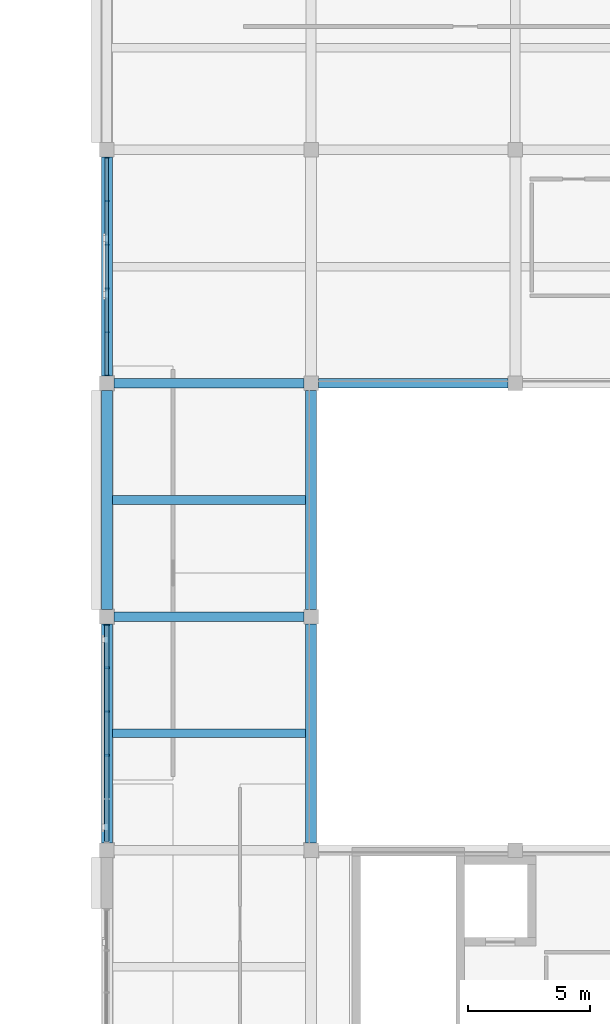
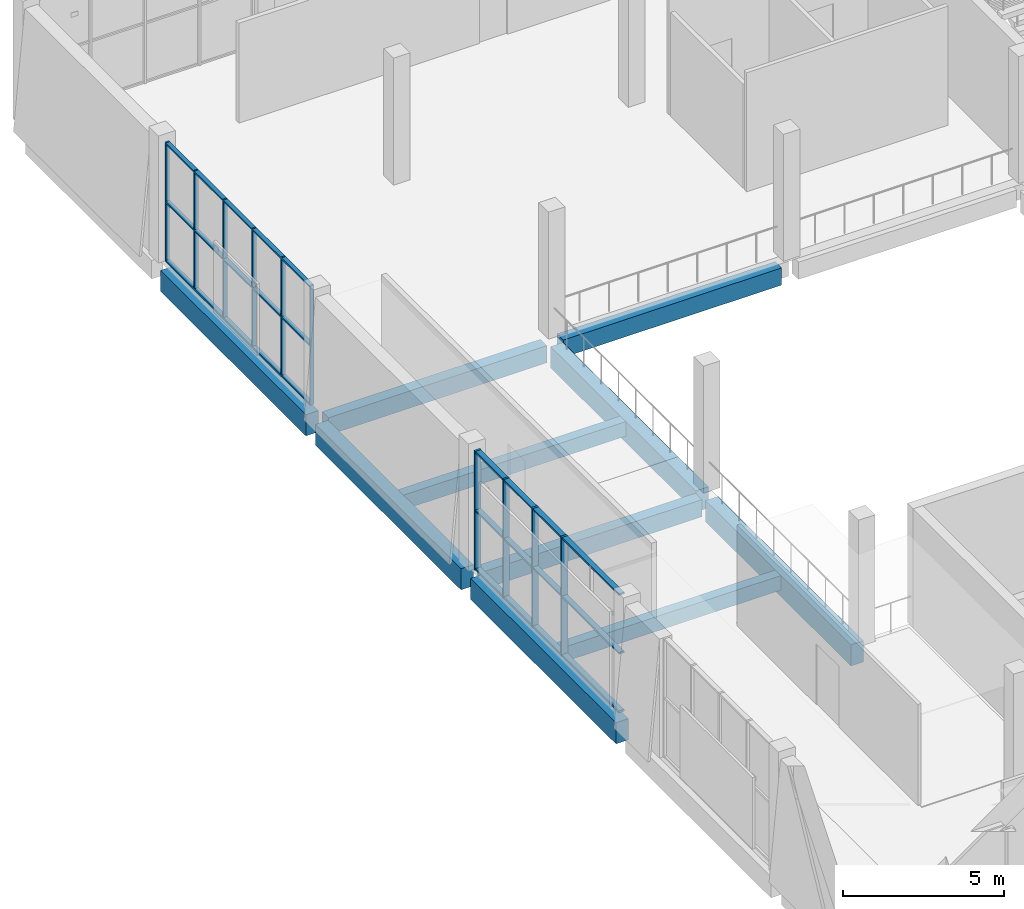
# One storey, part 11 of 37: 16 members, 10 beams, 2 elements without a shape of their own.
"""IFC4 building model written with IfcOpenShell, lengths in metres."""

from ifc_helpers import new_model, si_unit, direction, frame, origin, origin_2d, place, context, subcontext, project, spatial, rectangle, extrude, material, material_profile, profile_set, type_object, element, aggregate, save


model = new_model("IFC4")

# Units and contexts
model_context = context("Model", 3, precision=1e-05, world=origin(), true_north=direction((0.0, 1.0)))
body_context = subcontext(model_context, "Body", "Model", "MODEL_VIEW")
ifc_project = project(units=[si_unit("LENGTHUNIT", "METRE"), si_unit("AREAUNIT", "SQUARE_METRE"), si_unit("VOLUMEUNIT", "CUBIC_METRE"), si_unit("PLANEANGLEUNIT", "RADIAN"), si_unit("MASSUNIT", "GRAM", prefix="KILO")], contexts=[model_context])

# Site, building, storey
site_placement = place(None, origin())
site = spatial("IfcSite", under=ifc_project, at=site_placement, CompositionType="ELEMENT")
building_placement = place(site_placement, origin())
building = spatial("IfcBuilding", under=site, at=building_placement, Name="Shalvenor Court Art Gallery", CompositionType="ELEMENT")
storey_placement = place(building_placement, frame((0.0, 0.0, 22.199951171875)))
storey = spatial("IfcBuildingStorey", under=building, at=storey_placement, Name="L04", CompositionType="ELEMENT", Elevation=22.199951171875)

# Beams
ifc_material_1 = material(Name="Concrete C40/50", Category="concrete")
ifc_material_profile_1 = material_profile(ifc_material_1, rectangle(XDim=0.449951171875, YDim=0.800048828125, at=origin_2d()), Name="RC 450x800")
ifc_profile_set_1 = profile_set([ifc_material_profile_1], Name="Concrete C40/50")
beam_type_1 = type_object("IfcBeamType", Name="B-03", PredefinedType="BEAM", material=ifc_profile_set_1)
for number, where, z_axis, x_axis, name in (
    (1, (142.800048828125, 60.300048828125, -0.699951171875), (0.0, 1.0, 0.0), (-1.0, 0.0, 0.0), "L04 Girder BM-L04-B-03-1180"),
    (2, (142.800048828125, 69.89990234375, -0.699951171875), (0.0, 1.0, 0.0), (-1.0, 0.0, 0.0), "L04 Girder BM-L04-B-03-1181"),
    (3, (142.800048828125, 79.5, -0.699951171875), (0.0, 1.0, 0.0), (-1.0, 0.0, 0.0), "L04 Girder BM-L04-B-03-1182"),
    (4, (151.199951171875, 60.300048828125, -0.699951171875), (0.0, 1.0, 0.0), (-1.0, 0.0, 0.0), "L04 Girder BM-L04-B-03-1186"),
    (5, (151.199951171875, 69.89990234375, -0.699951171875), (0.0, 1.0, 0.0), (-1.0, 0.0, 0.0), "L04 Girder BM-L04-B-03-1187"),
):
    element("IfcBeam", number, at=place(storey_placement, frame(where, z_axis=z_axis, x_axis=x_axis)), inside=storey, type_object=beam_type_1, Name=name, PredefinedType="BEAM", context=body_context, shape_type="SweptSolid", body=[
        extrude(rectangle(XDim=0.449951171875, YDim=0.800048828125, at=origin_2d()), origin(), (0.0, 0.0, 1.0), 9.0),
    ])
ifc_material_2 = material(Name="Concrete C40/50", Category="concrete")
ifc_material_profile_2 = material_profile(ifc_material_2, rectangle(XDim=0.39990234375, YDim=0.64990234375, at=origin_2d()), Name="RC 400x650")
ifc_profile_set_2 = profile_set([ifc_material_profile_2], Name="Concrete C40/50")
beam_type_2 = type_object("IfcBeamType", Name="B-06", PredefinedType="BEAM", material=ifc_profile_set_2)
for number, where, z_axis, x_axis, name in (
    (6, (143.10009765625, 69.60009765625, -0.625), (1.0, 0.0, 0.0), (0.0, 1.0, 0.0), "L04 Girder BM-L04-B-06-1227"),
    (7, (143.10009765625, 79.199951171875, -0.625), (1.0, 0.0, 0.0), (0.0, 1.0, 0.0), "L04 Girder BM-L04-B-06-1229"),
):
    element("IfcBeam", number, at=place(storey_placement, frame(where, z_axis=z_axis, x_axis=x_axis)), inside=storey, type_object=beam_type_2, Name=name, PredefinedType="BEAM", context=body_context, shape_type="SweptSolid", body=[
        extrude(rectangle(XDim=0.39990234375, YDim=0.64990234375, at=origin_2d()), origin(), (0.0, 0.0, 1.0), 7.7998046875),
    ])
beam_placement = place(storey_placement, frame((151.5, 79.199951171875, -0.625), z_axis=(1.0, 0.0, 0.0), x_axis=(0.0, 1.0, 0.0)))
element("IfcBeam", 8, at=beam_placement, inside=storey, type_object=beam_type_2, Name="L04 Girder BM-L04-B-06-1230", PredefinedType="BEAM", context=body_context, shape_type="SweptSolid", body=[
    extrude(rectangle(XDim=0.39990234375, YDim=0.64990234375, at=origin_2d()), origin(), (0.0, 0.0, 1.0), 7.800048828125),
])

# Curtain wall, members
ifc_material_3 = material(Name="Anodised aluminium and low-iron glass curtain wall", Category="aluminium")
curtain_wall_type_1 = type_object("IfcCurtainWallType", Name="CW-5x2-90-45-442", PredefinedType="USERDEFINED", material=ifc_material_3)
curtain_wall_1_placement = place(storey_placement, origin())
curtain_wall_1 = element("IfcCurtainWall", 9, at=curtain_wall_1_placement, inside=storey, type_object=curtain_wall_type_1, Name="L04 V1 Curtain Wall CW-L04-038", ObjectType="CURTAIN WALL", PredefinedType="USERDEFINED")
ifc_material_4 = material(Name="Anodised aluminium mullion", Category="aluminium")
ifc_material_profile_3 = material_profile(ifc_material_4, rectangle(XDim=0.074951171875, YDim=0.219970703125, at=origin_2d()), Name="CWM-04")
ifc_profile_set_3 = profile_set([ifc_material_profile_3], Name="Anodised aluminium mullion")
member_type_1 = type_object("IfcMemberType", Name="CWM-04", PredefinedType="MULLION", material=ifc_profile_set_3)
member_1_placement = place(storey_placement, frame((142.800048828125, 63.89990234375, 0.0), z_axis=(0.0, 0.0, 1.0), x_axis=(0.0, 1.0, 0.0)))
member_1 = element("IfcMember", 10, at=member_1_placement, type_object=member_type_1, Name="CW-5x2-90-45-442 mullion 3", PredefinedType="MULLION", context=body_context, shape_type="SweptSolid", body=[
    extrude(rectangle(XDim=0.074951171875, YDim=0.219970703125, at=origin_2d()), origin(), (0.0, 0.0, 1.0), 4.5),
])
member_2_placement = place(storey_placement, frame((142.800048828125, 65.699951171875, 0.0), z_axis=(0.0, 0.0, 1.0), x_axis=(0.0, 1.0, 0.0)))
member_2 = element("IfcMember", 11, at=member_2_placement, type_object=member_type_1, Name="CW-5x2-90-45-442 mullion 4", PredefinedType="MULLION", context=body_context, shape_type="SweptSolid", body=[
    extrude(rectangle(XDim=0.074951171875, YDim=0.219970703125, at=origin_2d()), origin(), (0.0, 0.0, 1.0), 4.5),
])
member_3_placement = place(storey_placement, frame((142.800048828125, 67.5, 0.0), z_axis=(0.0, 0.0, 1.0), x_axis=(0.0, 1.0, 0.0)))
member_3 = element("IfcMember", 12, at=member_3_placement, type_object=member_type_1, Name="CW-5x2-90-45-442 mullion 5", PredefinedType="MULLION", context=body_context, shape_type="SweptSolid", body=[
    extrude(rectangle(XDim=0.074951171875, YDim=0.219970703125, at=origin_2d()), origin(), (0.0, 0.0, 1.0), 4.5),
])
member_4_placement = place(storey_placement, frame((142.800048828125, 69.262451171875, 0.0), z_axis=(0.0, 0.0, 1.0), x_axis=(0.0, 1.0, 0.0)))
member_4 = element("IfcMember", 13, at=member_4_placement, type_object=member_type_1, Name="CW-5x2-90-45-442 mullion 6", PredefinedType="MULLION", context=body_context, shape_type="SweptSolid", body=[
    extrude(rectangle(XDim=0.074951171875, YDim=0.219970703125, at=origin_2d()), origin(), (0.0, 0.0, 1.0), 4.5),
])

ifc_material_5 = material(Name="Anodised aluminium and low-iron glass curtain wall", Category="aluminium")
curtain_wall_type_2 = type_object("IfcCurtainWallType", Name="CW-5x2-90-45-612", PredefinedType="USERDEFINED", material=ifc_material_5)
curtain_wall_2_placement = place(storey_placement, origin())
curtain_wall_2 = element("IfcCurtainWall", 14, at=curtain_wall_2_placement, inside=storey, type_object=curtain_wall_type_2, Name="L04 V1 Curtain Wall CW-L04-039", ObjectType="CURTAIN WALL", PredefinedType="USERDEFINED")
ifc_material_6 = material(Name="Anodised aluminium mullion", Category="aluminium")
ifc_material_profile_4 = material_profile(ifc_material_6, rectangle(XDim=0.054931640625, YDim=0.139892578125, at=origin_2d()), Name="CWM-06")
ifc_profile_set_4 = profile_set([ifc_material_profile_4], Name="Anodised aluminium mullion")
member_type_2 = type_object("IfcMemberType", Name="CWM-06", PredefinedType="MULLION", material=ifc_profile_set_4)
member_5_placement = place(storey_placement, frame((142.800048828125, 79.527587890625, 0.0), z_axis=(0.0, 0.0, 1.0), x_axis=(0.0, 1.0, 0.0)))
member_5 = element("IfcMember", 15, at=member_5_placement, type_object=member_type_2, Name="CW-5x2-90-45-612 mullion 1", PredefinedType="MULLION", context=body_context, shape_type="SweptSolid", body=[
    extrude(rectangle(XDim=0.054931640625, YDim=0.139892578125, at=origin_2d()), origin(), (0.0, 0.0, 1.0), 4.5),
])
member_6_placement = place(storey_placement, frame((142.800048828125, 81.300048828125, 0.0), z_axis=(0.0, 0.0, 1.0), x_axis=(0.0, 1.0, 0.0)))
member_6 = element("IfcMember", 16, at=member_6_placement, type_object=member_type_2, Name="CW-5x2-90-45-612 mullion 2", PredefinedType="MULLION", context=body_context, shape_type="SweptSolid", body=[
    extrude(rectangle(XDim=0.054931640625, YDim=0.139892578125, at=origin_2d()), origin(), (0.0, 0.0, 1.0), 4.5),
])
member_7_placement = place(storey_placement, frame((142.800048828125, 83.10009765625, 0.0), z_axis=(0.0, 0.0, 1.0), x_axis=(0.0, 1.0, 0.0)))
member_7 = element("IfcMember", 17, at=member_7_placement, type_object=member_type_2, Name="CW-5x2-90-45-612 mullion 3", PredefinedType="MULLION", context=body_context, shape_type="SweptSolid", body=[
    extrude(rectangle(XDim=0.054931640625, YDim=0.139892578125, at=origin_2d()), origin(), (0.0, 0.0, 1.0), 4.5),
])
member_8_placement = place(storey_placement, frame((142.800048828125, 84.89990234375, 0.0), z_axis=(0.0, 0.0, 1.0), x_axis=(0.0, 1.0, 0.0)))
member_8 = element("IfcMember", 18, at=member_8_placement, type_object=member_type_2, Name="CW-5x2-90-45-612 mullion 4", PredefinedType="MULLION", context=body_context, shape_type="SweptSolid", body=[
    extrude(rectangle(XDim=0.054931640625, YDim=0.139892578125, at=origin_2d()), origin(), (0.0, 0.0, 1.0), 4.5),
])
member_9_placement = place(storey_placement, frame((142.800048828125, 86.699951171875, 0.0), z_axis=(0.0, 0.0, 1.0), x_axis=(0.0, 1.0, 0.0)))
member_9 = element("IfcMember", 19, at=member_9_placement, type_object=member_type_2, Name="CW-5x2-90-45-612 mullion 5", PredefinedType="MULLION", context=body_context, shape_type="SweptSolid", body=[
    extrude(rectangle(XDim=0.054931640625, YDim=0.139892578125, at=origin_2d()), origin(), (0.0, 0.0, 1.0), 4.5),
])
member_10_placement = place(storey_placement, frame((142.800048828125, 88.472412109375, 0.0), z_axis=(0.0, 0.0, 1.0), x_axis=(0.0, 1.0, 0.0)))
member_10 = element("IfcMember", 20, at=member_10_placement, type_object=member_type_2, Name="CW-5x2-90-45-612 mullion 6", PredefinedType="MULLION", context=body_context, shape_type="SweptSolid", body=[
    extrude(rectangle(XDim=0.054931640625, YDim=0.139892578125, at=origin_2d()), origin(), (0.0, 0.0, 1.0), 4.5),
])
ifc_material_7 = material(Name="Anodised aluminium transom", Category="aluminium")
ifc_material_profile_5 = material_profile(ifc_material_7, rectangle(XDim=0.14990234375, YDim=0.06005859375, at=origin_2d()), Name="CWT-01")
ifc_profile_set_5 = profile_set([ifc_material_profile_5], Name="Anodised aluminium transom")
member_type_3 = type_object("IfcMemberType", Name="CWT-01", PredefinedType="USERDEFINED", material=ifc_profile_set_5)
member_11_placement = place(storey_placement, frame((142.800048828125, 79.527587890625, 0.030029296875), z_axis=(0.0, 1.0, 0.0), x_axis=(-1.0, 0.0, 0.0)))
member_11 = element("IfcMember", 21, at=member_11_placement, type_object=member_type_3, Name="CW-5x2-90-45-612 transom 1", ObjectType="TRANSOM", PredefinedType="USERDEFINED", context=body_context, shape_type="SweptSolid", body=[
    extrude(rectangle(XDim=0.14990234375, YDim=0.06005859375, at=origin_2d()), origin(), (0.0, 0.0, 1.0), 8.94482421875),
])
member_12_placement = place(storey_placement, frame((142.800048828125, 79.527587890625, 2.25), z_axis=(0.0, 1.0, 0.0), x_axis=(-1.0, 0.0, 0.0)))
member_12 = element("IfcMember", 22, at=member_12_placement, type_object=member_type_3, Name="CW-5x2-90-45-612 transom 2", ObjectType="TRANSOM", PredefinedType="USERDEFINED", context=body_context, shape_type="SweptSolid", body=[
    extrude(rectangle(XDim=0.14990234375, YDim=0.06005859375, at=origin_2d()), origin(), (0.0, 0.0, 1.0), 8.94482421875),
])
member_13_placement = place(storey_placement, frame((142.800048828125, 79.527587890625, 4.469970703125), z_axis=(0.0, 1.0, 0.0), x_axis=(-1.0, 0.0, 0.0)))
member_13 = element("IfcMember", 23, at=member_13_placement, type_object=member_type_3, Name="CW-5x2-90-45-612 transom 3", ObjectType="TRANSOM", PredefinedType="USERDEFINED", context=body_context, shape_type="SweptSolid", body=[
    extrude(rectangle(XDim=0.14990234375, YDim=0.06005859375, at=origin_2d()), origin(), (0.0, 0.0, 1.0), 8.94482421875),
])
aggregate(curtain_wall_2, [member_5, member_6, member_7, member_8, member_9, member_10, member_11, member_12, member_13])

# Member
ifc_material_8 = material(Name="Anodised aluminium transom", Category="aluminium")
ifc_material_profile_6 = material_profile(ifc_material_8, rectangle(XDim=0.18994140625, YDim=0.070068359375, at=origin_2d()), Name="CWT-04")
ifc_profile_set_6 = profile_set([ifc_material_profile_6], Name="Anodised aluminium transom")
member_type_4 = type_object("IfcMemberType", Name="CWT-04", PredefinedType="USERDEFINED", material=ifc_profile_set_6)
member_14_placement = place(storey_placement, frame((142.800048828125, 60.33740234375, 0.03515625), z_axis=(0.0, 1.0, 0.0), x_axis=(-1.0, 0.0, 0.0)))
member_14 = element("IfcMember", 24, at=member_14_placement, type_object=member_type_4, Name="CW-5x2-90-45-442 transom 1", ObjectType="TRANSOM", PredefinedType="USERDEFINED", context=body_context, shape_type="SweptSolid", body=[
    extrude(rectangle(XDim=0.18994140625, YDim=0.070068359375, at=origin_2d()), origin(), (0.0, 0.0, 1.0), 8.925048828125),
])

member_15_placement = place(storey_placement, frame((142.800048828125, 60.33740234375, 2.25), z_axis=(0.0, 1.0, 0.0), x_axis=(-1.0, 0.0, 0.0)))
member_15 = element("IfcMember", 25, at=member_15_placement, type_object=member_type_4, Name="CW-5x2-90-45-442 transom 2", ObjectType="TRANSOM", PredefinedType="USERDEFINED", context=body_context, shape_type="SweptSolid", body=[
    extrude(rectangle(XDim=0.18994140625, YDim=0.070068359375, at=origin_2d()), origin(), (0.0, 0.0, 1.0), 8.925048828125),
])

member_16_placement = place(storey_placement, frame((142.800048828125, 60.33740234375, 4.465087890625), z_axis=(0.0, 1.0, 0.0), x_axis=(-1.0, 0.0, 0.0)))
member_16 = element("IfcMember", 26, at=member_16_placement, type_object=member_type_4, Name="CW-5x2-90-45-442 transom 3", ObjectType="TRANSOM", PredefinedType="USERDEFINED", context=body_context, shape_type="SweptSolid", body=[
    extrude(rectangle(XDim=0.18994140625, YDim=0.070068359375, at=origin_2d()), origin(), (0.0, 0.0, 1.0), 8.925048828125),
])

aggregate(curtain_wall_1, [member_1, member_2, member_3, member_4, member_14, member_15, member_16])

# Beams
ifc_material_9 = material(Name="Concrete C40/50", Category="concrete")
ifc_material_profile_7 = material_profile(ifc_material_9, rectangle(XDim=0.35009765625, YDim=0.550048828125, at=origin_2d()), Name="RC 350x550")
ifc_profile_set_7 = profile_set([ifc_material_profile_7], Name="Concrete C40/50")
beam_type_3 = type_object("IfcBeamType", Name="J-02", PredefinedType="JOIST", material=ifc_profile_set_7)
for number, where, z_axis, x_axis, name in (
    (27, (143.02490234375, 64.800048828125, -0.574951171875), (1.0, 0.0, 0.0), (0.0, 1.0, 0.0), "L04 Secondary Beam JST-L04-J-02-1259"),
    (28, (143.02490234375, 74.39990234375, -0.574951171875), (1.0, 0.0, 0.0), (0.0, 1.0, 0.0), "L04 Secondary Beam JST-L04-J-02-1260"),
):
    element("IfcBeam", number, at=place(storey_placement, frame(where, z_axis=z_axis, x_axis=x_axis)), inside=storey, type_object=beam_type_3, Name=name, PredefinedType="JOIST", context=body_context, shape_type="SweptSolid", body=[
        extrude(rectangle(XDim=0.35009765625, YDim=0.550048828125, at=origin_2d()), origin(), (0.0, 0.0, 1.0), 7.9501953125),
    ])

save(model, "model.ifc")
